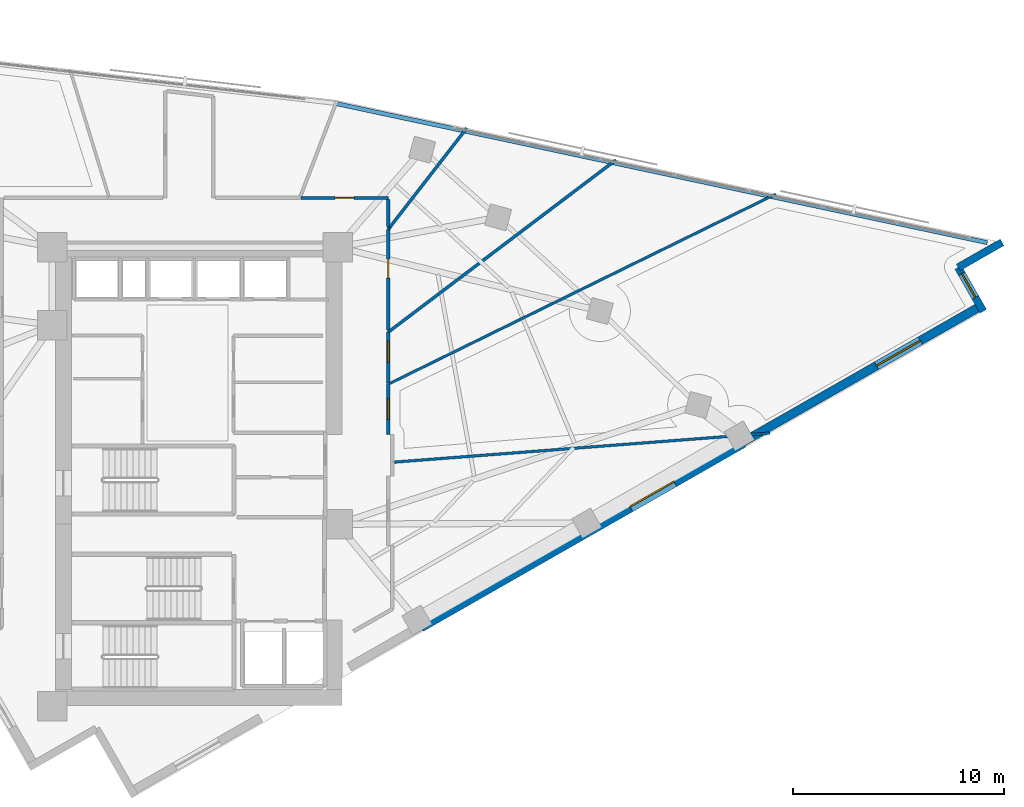
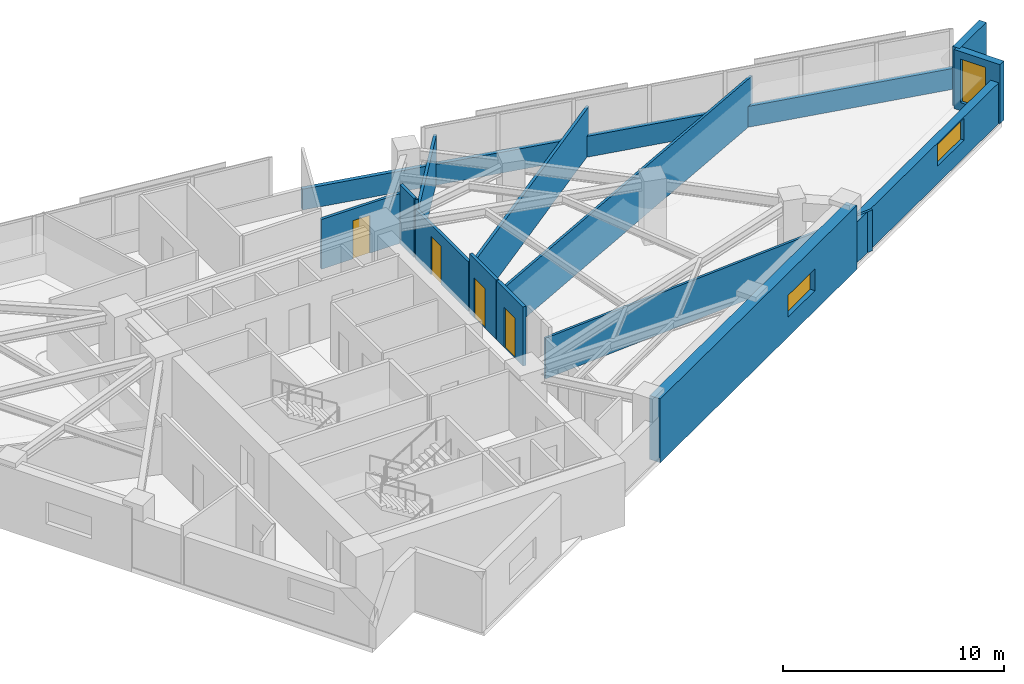
# One storey, part 11 of 14: 15 walls, 4 doors, 3 windows, 7 openings.
"""IFC4 building model written with IfcOpenShell, lengths in metres."""

from ifc_helpers import new_model, si_unit, direction, frame, frame_2d, origin, place, context, subcontext, project, spatial, rectangle, extrude, material, layer, layer_set, type_object, element, fill, save


model = new_model("IFC4")

# Units and contexts
model_context = context("Model", 3, precision=1e-05, world=origin(), true_north=direction((0.0, 1.0)))
body_context = subcontext(model_context, "Body", "Model", "MODEL_VIEW")
ifc_project = project(units=[si_unit("LENGTHUNIT", "METRE"), si_unit("AREAUNIT", "SQUARE_METRE"), si_unit("VOLUMEUNIT", "CUBIC_METRE"), si_unit("PLANEANGLEUNIT", "RADIAN"), si_unit("MASSUNIT", "GRAM", prefix="KILO")], contexts=[model_context])

# Site, building, storey
site_placement = place(None, origin())
site = spatial("IfcSite", under=ifc_project, at=site_placement, CompositionType="ELEMENT")
building_placement = place(site_placement, origin())
building = spatial("IfcBuilding", under=site, at=building_placement, Name="Narakoshi Arena Tower", CompositionType="ELEMENT")
storey_placement = place(building_placement, frame((0.0, 0.0, 211.4599609375)))
storey = spatial("IfcBuildingStorey", under=building, at=storey_placement, Name="L57", CompositionType="ELEMENT", Elevation=211.4599609375)

# Wall, opening, door
ifc_material_1 = material(Name="Gypsum plasterboard fire-rated partition")
ifc_layer_1 = layer(ifc_material_1, 0.1650390625)
ifc_layer_set_1 = layer_set([ifc_layer_1], Name="Gypsum plasterboard fire-rated partition")
wall_type_1 = type_object("IfcWallType", Name="WL-CORR-165", PredefinedType="PARTITIONING", material=ifc_layer_set_1)
wall_1_placement = place(storey_placement, frame((87.949951171875, 47.6201171875, 0.0), z_axis=(0.0, 0.0, 1.0), x_axis=(0.0, 1.0, 0.0)))
wall_1 = element("IfcWall", 1, at=wall_1_placement, inside=storey, type_object=wall_type_1, Name="L57 Corridor Partition 04-1", PredefinedType="PARTITIONING", context=body_context, shape_type="SweptSolid", body=[
    extrude(rectangle(XDim=2.412841796875, YDim=0.1650390625, at=frame_2d((1.20654296875, 0.0))), origin(), (0.0, 0.0, 1.0), 3.260009765625),
])
opening_1_placement = place(wall_1_placement, frame((0.70654296875, 0.0, 0.0)))
opening_1 = element("IfcOpeningElement", 2, at=opening_1_placement, cuts=wall_1, Name="Opening D-06", PredefinedType="OPENING", context=body_context, shape_type="SweptSolid", body=[
    extrude(rectangle(XDim=1.0, YDim=2.199951171875, at=frame_2d((0.5, 1.10009765625))), frame((0.0, 0.092529296875, 0.0), z_axis=(0.0, -1.0, 0.0), x_axis=(1.0, 0.0, 0.0)), (0.0, 0.0, 1.0), 0.18505859375),
])
ifc_material_2 = material(Name="Stained oak solid-core timber", Category="wood")
door_type_1 = type_object("IfcDoorType", Name="DR-OFF-1000", OperationType="NOTDEFINED", PredefinedType="DOOR", material=ifc_material_2)
door_1_placement = place(opening_1_placement, frame((1.0, 0.0, 0.0), z_axis=(0.0, 0.0, 1.0), x_axis=(-1.0, 0.0, 0.0)))
door_1 = element("IfcDoor", 3, at=door_1_placement, inside=storey, type_object=door_type_1, Name="DR-L57-019", OperationType="SINGLE_SWING_RIGHT", OverallHeight=2.199951171875, OverallWidth=1.0, PredefinedType="DOOR", context=body_context, shape_type="SweptSolid", body=[
    extrude(rectangle(XDim=1.0, YDim=2.199951171875, at=frame_2d((0.5, 1.10009765625))), frame((0.0, 0.02490234375, 0.0), z_axis=(0.0, -1.0, 0.0), x_axis=(1.0, 0.0, 0.0)), (0.0, 0.0, 1.0), 0.050048828125),
])
fill(opening_1, door_1)

wall_2_placement = place(storey_placement, frame((87.949951171875, 50.0595703125, 0.0), z_axis=(0.0, 0.0, 1.0), x_axis=(0.0, 1.0, 0.0)))
wall_2 = element("IfcWall", 4, at=wall_2_placement, inside=storey, type_object=wall_type_1, Name="L57 Corridor Partition 05-1", PredefinedType="PARTITIONING", context=body_context, shape_type="SweptSolid", body=[
    extrude(rectangle(XDim=2.4130859375, YDim=0.1650390625, at=frame_2d((1.20654296875, 0.0))), origin(), (0.0, 0.0, 1.0), 3.260009765625),
])
opening_2_placement = place(wall_2_placement, frame((0.989990234375, 0.0, 0.0)))
opening_2 = element("IfcOpeningElement", 5, at=opening_2_placement, cuts=wall_2, Name="Opening D-06", PredefinedType="OPENING", context=body_context, shape_type="SweptSolid", body=[
    extrude(rectangle(XDim=1.0, YDim=2.199951171875, at=frame_2d((0.5, 1.10009765625))), frame((0.0, 0.092529296875, 0.0), z_axis=(0.0, -1.0, 0.0), x_axis=(1.0, 0.0, 0.0)), (0.0, 0.0, 1.0), 0.18505859375),
])
door_2_placement = place(opening_2_placement, frame((1.0, 0.0, 0.0), z_axis=(0.0, 0.0, 1.0), x_axis=(-1.0, 0.0, 0.0)))
door_2 = element("IfcDoor", 6, at=door_2_placement, inside=storey, type_object=door_type_1, Name="DR-L57-020", OperationType="SINGLE_SWING_LEFT", OverallHeight=2.199951171875, OverallWidth=1.0, PredefinedType="DOOR", context=body_context, shape_type="SweptSolid", body=[
    extrude(rectangle(XDim=1.0, YDim=2.199951171875, at=frame_2d((0.5, 1.10009765625))), frame((0.0, 0.02490234375, 0.0), z_axis=(0.0, -1.0, 0.0), x_axis=(1.0, 0.0, 0.0)), (0.0, 0.0, 1.0), 0.050048828125),
])
fill(opening_2, door_2)

# Wall, opening, window
ifc_material_3 = material(Name="Concrete C50/60", Category="concrete")
ifc_layer_2 = layer(ifc_material_3, 0.550048828125)
ifc_layer_set_2 = layer_set([ifc_layer_2], Name="Concrete C50/60")
wall_type_2 = type_object("IfcWallType", Name="WL-LEG-550", PredefinedType="SHEAR", material=ifc_layer_set_2)
wall_3_placement = place(storey_placement, frame((89.479248046875, 38.4990234375, -0.260009765625), z_axis=(0.0, 0.0, 1.0), x_axis=(0.868197136736, 0.496219439123, 0.0)))
wall_3 = element("IfcWall", 7, at=wall_3_placement, inside=storey, type_object=wall_type_2, Name="L57 Architectural Concrete Structural Wall LEGA-3", PredefinedType="SHEAR", context=body_context, shape_type="SweptSolid", body=[
    extrude(rectangle(XDim=17.63623046875, YDim=0.550048828125, at=frame_2d((8.818115234375, 0.0))), origin(), (0.0, 0.0, 1.0), 3.52001953125),
])
opening_3_placement = place(wall_3_placement, frame((11.463623046875, 0.0, 1.10009765625)))
opening_3 = element("IfcOpeningElement", 8, at=opening_3_placement, cuts=wall_3, Name="Opening WN-04", PredefinedType="OPENING", context=body_context, shape_type="SweptSolid", body=[
    extrude(rectangle(XDim=2.39990234375, YDim=1.199951171875, at=frame_2d((1.199951171875, 0.60009765625))), frame((0.0, 0.284912109375, 0.0), z_axis=(0.0, -1.0, 0.0), x_axis=(1.0, 0.0, 0.0)), (0.0, 0.0, 1.0), 0.570068359375),
])
ifc_material_4 = material(Name="Bronze-tinted low-E laminated glass", Category="glass")
window_type_1 = type_object("IfcWindowType", Name="WIN-SLT-24x12", PartitioningType="SINGLE_PANEL", PredefinedType="WINDOW", material=ifc_material_4)
window_1_placement = place(opening_3_placement, origin())
window_1 = element("IfcWindow", 9, at=window_1_placement, inside=storey, type_object=window_type_1, Name="L57 LEGA3 Horizontal Slot Window 1", OverallHeight=1.199951171875, OverallWidth=2.39990234375, PartitioningType="SINGLE_PANEL", PredefinedType="WINDOW", context=body_context, shape_type="SweptSolid", body=[
    extrude(rectangle(XDim=2.39990234375, YDim=1.199951171875, at=frame_2d((1.199951171875, 0.60009765625))), frame((0.0, 0.030029296875, 0.0), z_axis=(0.0, -1.0, 0.0), x_axis=(1.0, 0.0, 0.0)), (0.0, 0.0, 1.0), 0.06005859375),
])
fill(opening_3, window_1)

# Walls
ifc_material_5 = material(Name="Precast concrete C45/55", Category="concrete")
ifc_layer_3 = layer(ifc_material_5, 0.25)
ifc_layer_set_3 = layer_set([ifc_layer_3], Name="Precast concrete C45/55")
wall_type_3 = type_object("IfcWallType", Name="WL-PARA-250", PredefinedType="PARAPET", material=ifc_layer_set_3)
wall_4_placement = place(storey_placement, frame((116.3955078125, 56.7216796875, 0.0), z_axis=(0.0, 0.0, 1.0), x_axis=(-0.977936620644, 0.208901809478, 0.0)))
element("IfcWall", 10, at=wall_4_placement, inside=storey, type_object=wall_type_3, Name="L57 Hypotenuse Sill Upstand Parapet 1-01", PredefinedType="PARAPET", context=body_context, shape_type="SweptSolid", body=[
    extrude(rectangle(XDim=31.685302734375, YDim=0.199951171875, at=frame_2d((15.8427734375, 0.0))), origin(), (0.0, 0.0, 1.0), 1.150146484375),
])
ifc_layer_4 = layer(ifc_material_1, 0.125)
ifc_layer_set_4 = layer_set([ifc_layer_4], Name="Gypsum plasterboard fire-rated partition")
wall_type_4 = type_object("IfcWallType", Name="WL-PART-125", PredefinedType="PARTITIONING", material=ifc_layer_set_4)
wall_5_placement = place(storey_placement, frame((88.244384765625, 46.298828125, 0.0), z_axis=(0.0, 0.0, 1.0), x_axis=(0.997047177141, 0.076791448455, 0.0)))
element("IfcWall", 11, at=wall_5_placement, inside=storey, type_object=wall_type_4, Name="L57 Inter-Room Partition 03-04", PredefinedType="PARTITIONING", context=body_context, shape_type="SweptSolid", body=[
    extrude(rectangle(XDim=17.892822265625, YDim=0.125, at=frame_2d((8.9462890625, 0.0))), origin(), (0.0, 0.0, 1.0), 2.2451171875),
])
wall_6_placement = place(storey_placement, frame((88.017822265625, 50.032958984375, 0.0), z_axis=(0.0, 0.0, 1.0), x_axis=(0.897716355099, 0.440573882326, 0.0)))
element("IfcWall", 12, at=wall_6_placement, inside=storey, type_object=wall_type_4, Name="L57 Inter-Room Partition 04-05", PredefinedType="PARTITIONING", context=body_context, shape_type="SweptSolid", body=[
    extrude(rectangle(XDim=20.4228515625, YDim=0.125, at=frame_2d((10.21142578125, 0.0))), origin(), (0.0, 0.0, 1.0), 2.64501953125),
])

# Wall, opening, window
ifc_layer_5 = layer(ifc_material_5, 0.419921875)
ifc_layer_set_5 = layer_set([ifc_layer_5], Name="Precast concrete C45/55")
wall_type_5 = type_object("IfcWallType", Name="WL-POD-420", PredefinedType="SOLIDWALL", material=ifc_layer_set_5)
wall_7_placement = place(storey_placement, frame((104.791015625, 47.25048828125, 0.0), z_axis=(0.0, 0.0, 1.0), x_axis=(0.868193423982, 0.496225934987, 0.0)))
wall_7 = element("IfcWall", 13, at=wall_7_placement, inside=storey, type_object=wall_type_5, Name="L57 Architectural Concrete Facade Wall LEGA-4", PredefinedType="SOLIDWALL", context=body_context, shape_type="SweptSolid", body=[
    extrude(rectangle(XDim=12.9951171875, YDim=0.419921875, at=frame_2d((6.49755859375, 0.0))), origin(), (0.0, 0.0, 1.0), 2.2451171875),
])
opening_4_placement = place(wall_7_placement, frame((7.309814453125, 0.0, 0.965087890625)))
opening_4 = element("IfcOpeningElement", 14, at=opening_4_placement, cuts=wall_7, Name="Opening WN-04", PredefinedType="OPENING", context=body_context, shape_type="SweptSolid", body=[
    extrude(rectangle(XDim=2.39990234375, YDim=1.199951171875, at=frame_2d((1.199951171875, 0.60009765625))), frame((0.0, 0.219970703125, 0.0), z_axis=(0.0, -1.0, 0.0), x_axis=(1.0, 0.0, 0.0)), (0.0, 0.0, 1.0), 0.43994140625),
])
window_2_placement = place(opening_4_placement, origin())
window_2 = element("IfcWindow", 15, at=window_2_placement, inside=storey, type_object=window_type_1, Name="L57 LEGA4 Horizontal Slot Window 1", OverallHeight=1.199951171875, OverallWidth=2.39990234375, PartitioningType="SINGLE_PANEL", PredefinedType="WINDOW", context=body_context, shape_type="SweptSolid", body=[
    extrude(rectangle(XDim=2.39990234375, YDim=1.199951171875, at=frame_2d((1.199951171875, 0.60009765625))), frame((0.0, 0.030029296875, 0.0), z_axis=(0.0, -1.0, 0.0), x_axis=(1.0, 0.0, 0.0)), (0.0, 0.0, 1.0), 0.06005859375),
])
fill(opening_4, window_2)

wall_8_placement = place(storey_placement, frame((116.209716796875, 53.460205078125, 0.0), z_axis=(0.0, 0.0, 1.0), x_axis=(-0.496215637313, 0.868199309655, 0.0)))
wall_8 = element("IfcWall", 16, at=wall_8_placement, inside=storey, type_object=wall_type_5, Name="L57 Re-Entrant Corner Notch Wall NTE-1", PredefinedType="SOLIDWALL", context=body_context, shape_type="SweptSolid", body=[
    extrude(rectangle(XDim=2.3994140625, YDim=0.360107421875, at=frame_2d((1.19970703125, 0.0))), origin(), (0.0, 0.0, 1.0), 3.260009765625),
])
opening_5_placement = place(wall_8_placement, frame((0.759765625, 0.0, 0.449951171875)))
opening_5 = element("IfcOpeningElement", 17, at=opening_5_placement, cuts=wall_8, Name="Opening WN-06", PredefinedType="OPENING", context=body_context, shape_type="SweptSolid", body=[
    extrude(rectangle(XDim=1.300048828125, YDim=2.39990234375, at=frame_2d((0.64990234375, 1.199951171875))), frame((0.0, 0.18994140625, 0.0), z_axis=(0.0, -1.0, 0.0), x_axis=(1.0, 0.0, 0.0)), (0.0, 0.0, 1.0), 0.380126953125),
])
window_type_2 = type_object("IfcWindowType", Name="WIN-NTC-16x24", PartitioningType="SINGLE_PANEL", PredefinedType="WINDOW", material=ifc_material_4)
window_3_placement = place(opening_5_placement, origin())
window_3 = element("IfcWindow", 18, at=window_3_placement, inside=storey, type_object=window_type_2, Name="L57 Corner Notch Window NTE", OverallHeight=2.39990234375, OverallWidth=1.300048828125, PartitioningType="SINGLE_PANEL", PredefinedType="WINDOW", context=body_context, shape_type="SweptSolid", body=[
    extrude(rectangle(XDim=1.300048828125, YDim=2.39990234375, at=frame_2d((0.64990234375, 1.199951171875))), frame((0.0, 0.030029296875, 0.0), z_axis=(0.0, -1.0, 0.0), x_axis=(1.0, 0.0, 0.0)), (0.0, 0.0, 1.0), 0.06005859375),
])
fill(opening_5, window_3)

# Walls
wall_9_placement = place(storey_placement, frame((115.01904296875, 55.54345703125, 0.0), z_axis=(0.0, 0.0, 1.0), x_axis=(0.86818053093, 0.4962484919, 0.0)))
element("IfcWall", 19, at=wall_9_placement, inside=storey, type_object=wall_type_5, Name="L57 Re-Entrant Corner Notch Wall NTE-2", PredefinedType="SOLIDWALL", context=body_context, shape_type="SweptSolid", body=[
    extrude(rectangle(XDim=2.39990234375, YDim=0.360107421875, at=frame_2d((1.199951171875, 0.0))), origin(), (0.0, 0.0, 1.0), 3.260009765625),
])
ifc_material_6 = material(Name="Moisture-resistant cement-board partition")
ifc_layer_6 = layer(ifc_material_6, 0.14501953125)
ifc_layer_set_6 = layer_set([ifc_layer_6], Name="Moisture-resistant cement-board partition")
wall_type_6 = type_object("IfcWallType", Name="WL-WET-145", PredefinedType="PARTITIONING", material=ifc_layer_set_6)
wall_10_placement = place(storey_placement, frame((87.949951171875, 52.47265625, 0.0), z_axis=(0.0, 0.0, 1.0), x_axis=(0.797562554741, 0.60323624831, 0.0)))
element("IfcWall", 20, at=wall_10_placement, inside=storey, type_object=wall_type_6, Name="L57 Inter-Room Partition 05-06", PredefinedType="PARTITIONING", context=body_context, shape_type="SweptSolid", body=[
    extrude(rectangle(XDim=13.558349609375, YDim=0.14501953125, at=frame_2d((6.779296875, 0.0))), origin(), (0.0, 0.0, 1.0), 2.64501953125),
])

# Wall, opening, door
wall_11_placement = place(storey_placement, frame((87.949951171875, 52.57861328125, 0.0), z_axis=(0.0, 0.0, 1.0), x_axis=(0.0, 1.0, 0.0)))
wall_11 = element("IfcWall", 21, at=wall_11_placement, inside=storey, type_object=wall_type_6, Name="L57 Corridor Partition 06-1", PredefinedType="PARTITIONING", context=body_context, shape_type="SweptSolid", body=[
    extrude(rectangle(XDim=4.776611328125, YDim=0.14501953125, at=frame_2d((2.38818359375, 0.0))), origin(), (0.0, 0.0, 1.0), 2.7451171875),
])
opening_6_placement = place(wall_11_placement, frame((2.4599609375, 0.0, 0.0)))
opening_6 = element("IfcOpeningElement", 22, at=opening_6_placement, cuts=wall_11, Name="Opening D-08", PredefinedType="OPENING", context=body_context, shape_type="SweptSolid", body=[
    extrude(rectangle(XDim=0.89990234375, YDim=2.10009765625, at=frame_2d((0.449951171875, 1.050048828125))), frame((0.0, 0.08251953125, 0.0), z_axis=(0.0, -1.0, 0.0), x_axis=(1.0, 0.0, 0.0)), (0.0, 0.0, 1.0), 0.1650390625),
])
ifc_material_7 = material(Name="Moisture-resistant laminate timber", Category="wood")
door_type_2 = type_object("IfcDoorType", Name="DR-WC-900", OperationType="NOTDEFINED", PredefinedType="DOOR", material=ifc_material_7)
door_3_placement = place(opening_6_placement, frame((0.89990234375, 0.0, 0.0), z_axis=(0.0, 0.0, 1.0), x_axis=(-1.0, 0.0, 0.0)))
door_3 = element("IfcDoor", 23, at=door_3_placement, inside=storey, type_object=door_type_2, Name="DR-L57-021", OperationType="SINGLE_SWING_LEFT", OverallHeight=2.10009765625, OverallWidth=0.89990234375, PredefinedType="DOOR", context=body_context, shape_type="SweptSolid", body=[
    extrude(rectangle(XDim=0.89990234375, YDim=2.10009765625, at=frame_2d((0.449951171875, 1.050048828125))), frame((0.0, 0.02490234375, 0.0), z_axis=(0.0, -1.0, 0.0), x_axis=(1.0, 0.0, 0.0)), (0.0, 0.0, 1.0), 0.050048828125),
])
fill(opening_6, door_3)

# Walls
wall_12_placement = place(storey_placement, frame((87.949951171875, 57.355224609375, 0.0), z_axis=(0.0, 0.0, 1.0), x_axis=(0.613077567359, 0.790022718914, 0.0)))
element("IfcWall", 24, at=wall_12_placement, inside=storey, type_object=wall_type_6, Name="L57 Corridor Partition 06-2", PredefinedType="PARTITIONING", context=body_context, shape_type="SweptSolid", body=[
    extrude(rectangle(XDim=0.097900390625, YDim=0.14501953125, at=frame_2d((0.048828125, 0.0))), origin(), (0.0, 0.0, 1.0), 3.260009765625),
])
wall_13_placement = place(storey_placement, frame((88.010009765625, 57.4326171875, 0.0), z_axis=(0.0, 0.0, 1.0), x_axis=(0.612977798306, 0.790100132125, 0.0)))
element("IfcWall", 25, at=wall_13_placement, inside=storey, type_object=wall_type_6, Name="L57 Inter-Room Partition 06-08", PredefinedType="PARTITIONING", context=body_context, shape_type="SweptSolid", body=[
    extrude(rectangle(XDim=5.989013671875, YDim=0.14501953125, at=frame_2d((2.99462890625, 0.0))), origin(), (0.0, 0.0, 1.0), 2.64501953125),
])

# Wall, opening, door
wall_14_placement = place(storey_placement, frame((87.949951171875, 58.85009765625, 0.0), z_axis=(0.0, 0.0, 1.0), x_axis=(-1.0, 0.0, 0.0)))
wall_14 = element("IfcWall", 26, at=wall_14_placement, inside=storey, type_object=wall_type_6, Name="L57 Corridor Partition 08-1", PredefinedType="PARTITIONING", context=body_context, shape_type="SweptSolid", body=[
    extrude(rectangle(XDim=4.13720703125, YDim=0.14501953125, at=frame_2d((2.068603515625, 0.0))), origin(), (0.0, 0.0, 1.0), 2.7451171875),
])
opening_7_placement = place(wall_14_placement, frame((1.61865234375, 0.0, 0.0)))
opening_7 = element("IfcOpeningElement", 27, at=opening_7_placement, cuts=wall_14, Name="Opening D-08", PredefinedType="OPENING", context=body_context, shape_type="SweptSolid", body=[
    extrude(rectangle(XDim=0.89990234375, YDim=2.10009765625, at=frame_2d((0.449951171875, 1.050048828125))), frame((0.0, 0.08251953125, 0.0), z_axis=(0.0, -1.0, 0.0), x_axis=(1.0, 0.0, 0.0)), (0.0, 0.0, 1.0), 0.1650390625),
])
door_4_placement = place(opening_7_placement, frame((0.89990234375, 0.0, 0.0), z_axis=(0.0, 0.0, 1.0), x_axis=(-1.0, 0.0, 0.0)))
door_4 = element("IfcDoor", 28, at=door_4_placement, inside=storey, type_object=door_type_2, Name="DR-L57-023", OperationType="SINGLE_SWING_LEFT", OverallHeight=2.10009765625, OverallWidth=0.89990234375, PredefinedType="DOOR", context=body_context, shape_type="SweptSolid", body=[
    extrude(rectangle(XDim=0.89990234375, YDim=2.10009765625, at=frame_2d((0.449951171875, 1.050048828125))), frame((0.0, 0.02490234375, 0.0), z_axis=(0.0, -1.0, 0.0), x_axis=(1.0, 0.0, 0.0)), (0.0, 0.0, 1.0), 0.050048828125),
])
fill(opening_7, door_4)

# Wall
wall_15_placement = place(storey_placement, frame((87.949951171875, 57.4931640625, 0.0), z_axis=(0.0, 0.0, 1.0), x_axis=(0.0, 1.0, 0.0)))
element("IfcWall", 29, at=wall_15_placement, inside=storey, type_object=wall_type_6, Name="L57 Corridor Partition 08-2", PredefinedType="PARTITIONING", context=body_context, shape_type="SweptSolid", body=[
    extrude(rectangle(XDim=1.272216796875, YDim=0.14501953125, at=frame_2d((0.63623046875, 0.0))), origin(), (0.0, 0.0, 1.0), 3.260009765625),
])

save(model, "model.ifc")
